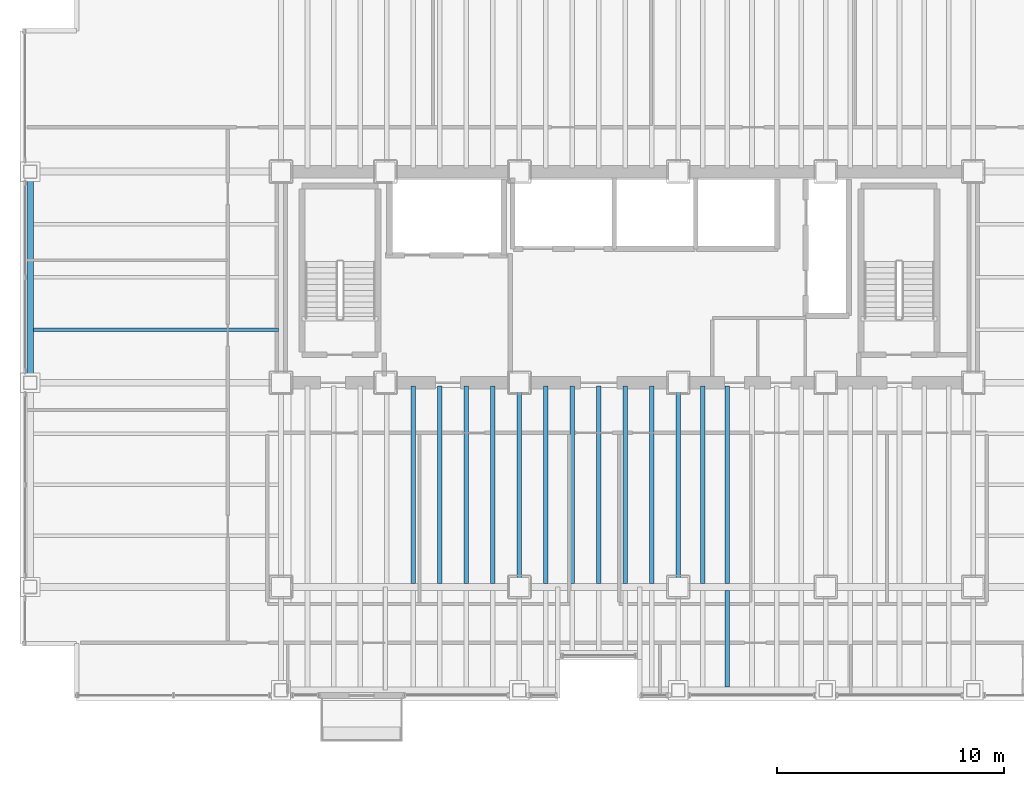
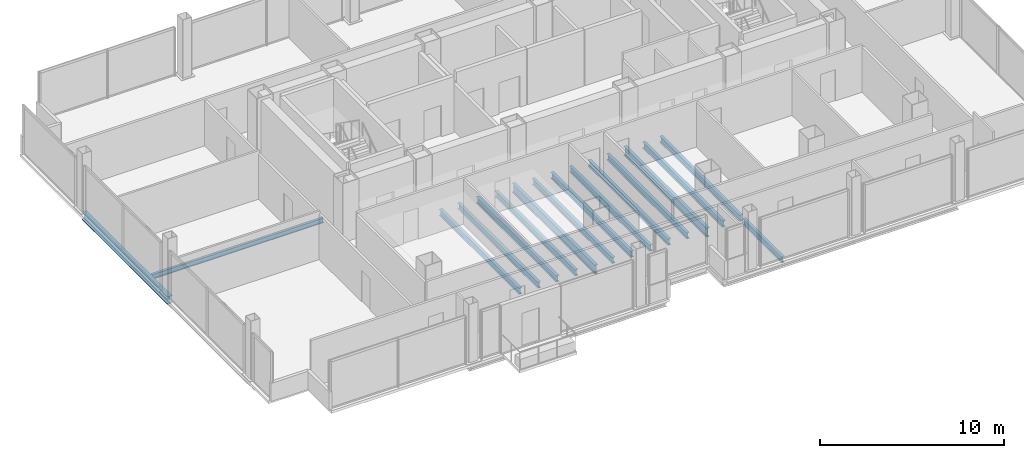
# One storey, part 5 of 21: 16 beams.
"""IFC4 building model written with IfcOpenShell, lengths in metres."""

from ifc_helpers import new_model, si_unit, direction, frame, origin, origin_2d, place, context, subcontext, project, spatial, i_section, extrude, material, material_profile, profile_set, type_object, element, save


model = new_model("IFC4")

# Units and contexts
model_context = context("Model", 3, precision=1e-05, world=origin(), true_north=direction((0.0, 1.0)))
body_context = subcontext(model_context, "Body", "Model", "MODEL_VIEW")
ifc_project = project(units=[si_unit("LENGTHUNIT", "METRE"), si_unit("AREAUNIT", "SQUARE_METRE"), si_unit("VOLUMEUNIT", "CUBIC_METRE"), si_unit("PLANEANGLEUNIT", "RADIAN"), si_unit("MASSUNIT", "GRAM", prefix="KILO")], contexts=[model_context])

# Site, building, storey
site_placement = place(None, origin())
site = spatial("IfcSite", under=ifc_project, at=site_placement, CompositionType="ELEMENT")
building_placement = place(site_placement, origin())
building = spatial("IfcBuilding", under=site, at=building_placement, Name="Noeulbin Bourse Tower", CompositionType="ELEMENT")
storey_placement = place(building_placement, frame((0.0, 0.0, 34.300048828125)))
storey = spatial("IfcBuildingStorey", under=building, at=storey_placement, Name="L08", CompositionType="ELEMENT", Elevation=34.300048828125)

# Beams
ifc_material = material(Name="Steel S355", Category="steel")
ifc_material_profile_1 = material_profile(ifc_material, i_section(OverallWidth=0.199951171875, OverallDepth=0.60009765625, WebThickness=0.010986328125, FlangeThickness=0.01708984375, FilletRadius=0.02197265625, at=origin_2d()), Name="H-600x200x11x17", Category="LoadBearing")
ifc_profile_set_1 = profile_set([ifc_material_profile_1], Name="Steel S355")
beam_type_1 = type_object("IfcBeamType", Name="BM-GRD-600", PredefinedType="USERDEFINED", material=ifc_profile_set_1)
for number, where, z_axis, x_axis, name in (
    (1, (24.0, 20.0, -0.47998046875), (0.0, 1.0, 0.0), (-1.0, 0.0, 0.0), "Tower Primary Girder NS L08-2.2"),
    (2, (31.0, 20.0, -0.47998046875), (0.0, 1.0, 0.0), (-1.0, 0.0, 0.0), "Tower Primary Girder NS L08-3.2"),
):
    element("IfcBeam", number, at=place(storey_placement, frame(where, z_axis=z_axis, x_axis=x_axis)), inside=storey, type_object=beam_type_1, Name=name, ObjectType="GIRDER", PredefinedType="USERDEFINED", context=body_context, shape_type="SweptSolid", body=[
        extrude(i_section(OverallWidth=0.199951171875, OverallDepth=0.60009765625, WebThickness=0.010986328125, FlangeThickness=0.01708984375, FilletRadius=0.02197265625, at=origin_2d()), origin(), (0.0, 0.0, 1.0), 9.0),
    ])
ifc_material_profile_2 = material_profile(ifc_material, i_section(OverallWidth=0.159912109375, OverallDepth=0.320068359375, WebThickness=0.006591796875, FlangeThickness=0.010009765625, FilletRadius=0.012939453125, at=origin_2d()), Name="H-320x160x6.5x10", Category="LoadBearing")
ifc_profile_set_2 = profile_set([ifc_material_profile_2], Name="Steel S355")
beam_type_2 = type_object("IfcBeamType", Name="BM-JST-320", PredefinedType="JOIST", material=ifc_profile_set_2)
beam_1_placement = place(storey_placement, frame((2.60009765625, 31.324951171875, -0.340087890625), z_axis=(1.0, 0.0, 0.0), x_axis=(0.0, 1.0, 0.0)))
element("IfcBeam", 3, at=beam_1_placement, inside=storey, type_object=beam_type_2, Name="Wing Composite Joist L08-W72", PredefinedType="JOIST", context=body_context, shape_type="SweptSolid", body=[
    extrude(i_section(OverallWidth=0.159912109375, OverallDepth=0.320068359375, WebThickness=0.006591796875, FlangeThickness=0.010009765625, FilletRadius=0.012939453125, at=origin_2d()), origin(), (0.0, 0.0, 1.0), 10.7998046875),
])
ifc_material_profile_3 = material_profile(ifc_material, i_section(OverallWidth=0.199951171875, OverallDepth=0.39990234375, WebThickness=0.008056640625, FlangeThickness=0.012939453125, FilletRadius=0.01611328125, at=origin_2d()), Name="H-400x200x8x13", Category="LoadBearing")
ifc_profile_set_3 = profile_set([ifc_material_profile_3], Name="Steel S355")
beam_type_3 = type_object("IfcBeamType", Name="BM-SEC-400", PredefinedType="BEAM", material=ifc_profile_set_3)
for number, where, z_axis, x_axis, name in (
    (4, (19.333251953125, 20.14990234375, -0.380126953125), (0.0, 1.0, 0.0), (-1.0, 0.0, 0.0), "Tower Composite Joist L08-13"),
    (5, (20.5, 20.14990234375, -0.380126953125), (0.0, 1.0, 0.0), (-1.0, 0.0, 0.0), "Tower Composite Joist L08-16"),
    (6, (21.666748046875, 20.14990234375, -0.380126953125), (0.0, 1.0, 0.0), (-1.0, 0.0, 0.0), "Tower Composite Joist L08-19"),
    (7, (22.833251953125, 20.14990234375, -0.380126953125), (0.0, 1.0, 0.0), (-1.0, 0.0, 0.0), "Tower Composite Joist L08-22"),
    (8, (25.166748046875, 20.14990234375, -0.380126953125), (0.0, 1.0, 0.0), (-1.0, 0.0, 0.0), "Tower Composite Joist L08-25"),
    (9, (26.333251953125, 20.14990234375, -0.380126953125), (0.0, 1.0, 0.0), (-1.0, 0.0, 0.0), "Tower Composite Joist L08-28"),
    (10, (27.5, 20.14990234375, -0.380126953125), (0.0, 1.0, 0.0), (-1.0, 0.0, 0.0), "Tower Composite Joist L08-31"),
    (11, (28.666748046875, 20.14990234375, -0.380126953125), (0.0, 1.0, 0.0), (-1.0, 0.0, 0.0), "Tower Composite Joist L08-34"),
    (12, (29.833251953125, 20.14990234375, -0.380126953125), (0.0, 1.0, 0.0), (-1.0, 0.0, 0.0), "Tower Composite Joist L08-37"),
    (13, (32.083251953125, 20.14990234375, -0.380126953125), (0.0, 1.0, 0.0), (-1.0, 0.0, 0.0), "Tower Composite Joist L08-40"),
):
    element("IfcBeam", number, at=place(storey_placement, frame(where, z_axis=z_axis, x_axis=x_axis)), inside=storey, type_object=beam_type_3, Name=name, PredefinedType="BEAM", context=body_context, shape_type="SweptSolid", body=[
        extrude(i_section(OverallWidth=0.199951171875, OverallDepth=0.39990234375, WebThickness=0.008056640625, FlangeThickness=0.012939453125, FilletRadius=0.01611328125, at=origin_2d()), origin(), (0.0, 0.0, 1.0), 8.7001953125),
    ])
beam_2_placement = place(storey_placement, frame((33.166748046875, 15.60009765625, -0.380126953125), z_axis=(0.0, 1.0, 0.0), x_axis=(-1.0, 0.0, 0.0)))
element("IfcBeam", 14, at=beam_2_placement, inside=storey, type_object=beam_type_3, Name="Tower Composite Joist L08-42", PredefinedType="BEAM", context=body_context, shape_type="SweptSolid", body=[
    extrude(i_section(OverallWidth=0.199951171875, OverallDepth=0.39990234375, WebThickness=0.008056640625, FlangeThickness=0.012939453125, FilletRadius=0.01611328125, at=origin_2d()), origin(), (0.0, 0.0, 1.0), 4.25),
])
beam_3_placement = place(storey_placement, frame((33.166748046875, 20.14990234375, -0.380126953125), z_axis=(0.0, 1.0, 0.0), x_axis=(-1.0, 0.0, 0.0)))
element("IfcBeam", 15, at=beam_3_placement, inside=storey, type_object=beam_type_3, Name="Tower Composite Joist L08-43", PredefinedType="BEAM", context=body_context, shape_type="SweptSolid", body=[
    extrude(i_section(OverallWidth=0.199951171875, OverallDepth=0.39990234375, WebThickness=0.008056640625, FlangeThickness=0.012939453125, FilletRadius=0.01611328125, at=origin_2d()), origin(), (0.0, 0.0, 1.0), 8.7001953125),
])
ifc_material_profile_4 = material_profile(ifc_material, i_section(OverallWidth=0.300048828125, OverallDepth=0.488037109375, WebThickness=0.010986328125, FlangeThickness=0.01806640625, FilletRadius=0.02197265625, at=origin_2d()), Name="H-488x300x11x18", Category="LoadBearing")
ifc_profile_set_4 = profile_set([ifc_material_profile_4], Name="Steel S355")
beam_type_4 = type_object("IfcBeamType", Name="BM-SPN-488", PredefinedType="SPANDREL", material=ifc_profile_set_4)
beam_4_placement = place(storey_placement, frame((2.449951171875, 29.0, -0.424072265625), z_axis=(0.0, 1.0, 0.0), x_axis=(-1.0, 0.0, 0.0)))
element("IfcBeam", 16, at=beam_4_placement, inside=storey, type_object=beam_type_4, Name="West Spandrel L08-2", PredefinedType="SPANDREL", context=body_context, shape_type="SweptSolid", body=[
    extrude(i_section(OverallWidth=0.300048828125, OverallDepth=0.488037109375, WebThickness=0.010986328125, FlangeThickness=0.01806640625, FilletRadius=0.02197265625, at=origin_2d()), origin(), (0.0, 0.0, 1.0), 9.300048828125),
])

save(model, "model.ifc")
